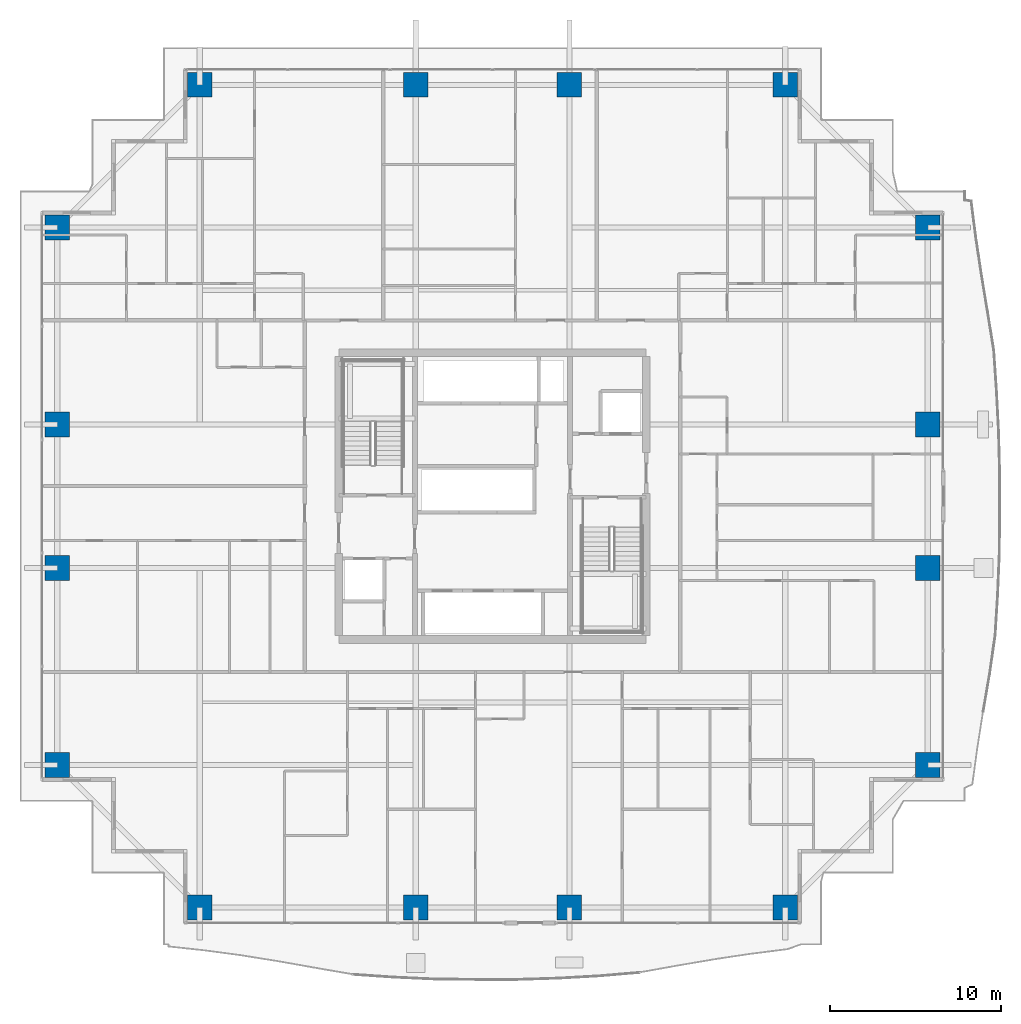
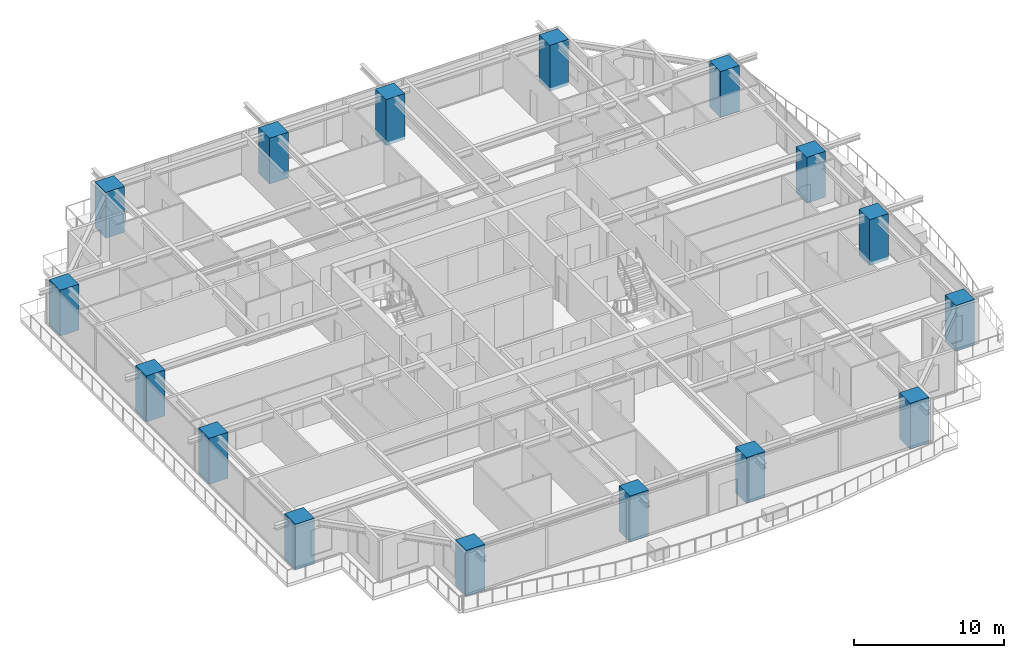
# One storey, part 1 of 39: 16 columns.
"""IFC4 building model written with IfcOpenShell, lengths in metres."""

from ifc_helpers import new_model, si_unit, direction, frame, origin, origin_2d, place, context, subcontext, project, spatial, rectangle, extrude, source, transform, mapped, material, material_profile, profile_set, type_object, element, save


model = new_model("IFC4")

# Units and contexts
model_context = context("Model", 3, precision=1e-05, world=origin(), true_north=direction((0.0, 1.0)))
body_context = subcontext(model_context, "Body", "Model", "MODEL_VIEW")
ifc_project = project(units=[si_unit("LENGTHUNIT", "METRE"), si_unit("AREAUNIT", "SQUARE_METRE"), si_unit("VOLUMEUNIT", "CUBIC_METRE"), si_unit("PLANEANGLEUNIT", "RADIAN"), si_unit("MASSUNIT", "GRAM", prefix="KILO")], contexts=[model_context])

# Site, building, storey
site_placement = place(None, origin())
site = spatial("IfcSite", under=ifc_project, at=site_placement, CompositionType="ELEMENT")
building_placement = place(site_placement, origin())
building = spatial("IfcBuilding", under=site, at=building_placement, Name="Serunith Strait Residences", CompositionType="ELEMENT")
storey_placement = place(building_placement, frame((0.0, 0.0, 49.199951171875)))
storey = spatial("IfcBuildingStorey", under=building, at=storey_placement, Name="L11", CompositionType="ELEMENT", Elevation=49.199951171875)

# Columns
ifc_material = material(Name="Concrete C90/105", Category="concrete")
ifc_material_profile = material_profile(ifc_material, rectangle(XDim=1.449951171875, YDim=1.449951171875, at=origin_2d()), Name="RC 1450x1450")
ifc_profile_set = profile_set([ifc_material_profile], Name="Concrete C90/105")
column_type = type_object("IfcColumnType", Name="COL-RC-1450", PredefinedType="COLUMN", material=ifc_profile_set)
shared_shape = source(origin(), body_context, "Body", "SweptSolid", [
    extrude(rectangle(XDim=1.449951171875, YDim=1.449951171875, at=origin_2d()), origin(), (0.0, 0.0, 1.0), 3.75),
])
for number, where, z_axis, x_axis, name in (
    (1, (15.25, 1.10009765625, -0.260009765625), (0.0, 0.0, 1.0), (1.0, 0.0, 0.0), "L11 Tower Mega-Column TC-S1"),
    (2, (27.89990234375, 1.10009765625, -0.260009765625), (0.0, 0.0, 1.0), (1.0, 0.0, 0.0), "L11 Tower Mega-Column TC-S2"),
    (3, (36.89990234375, 1.10009765625, -0.260009765625), (0.0, 0.0, 1.0), (1.0, 0.0, 0.0), "L11 Tower Mega-Column TC-S3"),
    (4, (49.550048828125, 1.10009765625, -0.260009765625), (0.0, 0.0, 1.0), (1.0, 0.0, 0.0), "L11 Tower Mega-Column TC-S4"),
    (5, (15.25, 49.300048828125, -0.260009765625), (0.0, 0.0, 1.0), (1.0, 0.0, 0.0), "L11 Tower Mega-Column TC-N1"),
    (6, (27.89990234375, 49.300048828125, -0.260009765625), (0.0, 0.0, 1.0), (1.0, 0.0, 0.0), "L11 Tower Mega-Column TC-N2"),
    (7, (36.89990234375, 49.300048828125, -0.260009765625), (0.0, 0.0, 1.0), (1.0, 0.0, 0.0), "L11 Tower Mega-Column TC-N3"),
    (8, (49.550048828125, 49.300048828125, -0.260009765625), (0.0, 0.0, 1.0), (1.0, 0.0, 0.0), "L11 Tower Mega-Column TC-N4"),
    (9, (57.89990234375, 9.449951171875, -0.260009765625), (0.0, 0.0, 1.0), (1.0, 0.0, 0.0), "L11 Tower Mega-Column TC-E1"),
    (10, (57.89990234375, 21.0, -0.260009765625), (0.0, 0.0, 1.0), (1.0, 0.0, 0.0), "L11 Tower Mega-Column TC-E2"),
    (11, (57.89990234375, 29.39990234375, -0.260009765625), (0.0, 0.0, 1.0), (1.0, 0.0, 0.0), "L11 Tower Mega-Column TC-E3"),
    (12, (57.89990234375, 40.949951171875, -0.260009765625), (0.0, 0.0, 1.0), (1.0, 0.0, 0.0), "L11 Tower Mega-Column TC-E4"),
    (13, (6.89990234375, 9.449951171875, -0.260009765625), (0.0, 0.0, 1.0), (1.0, 0.0, 0.0), "L11 Tower Mega-Column TC-W1"),
    (14, (6.89990234375, 21.0, -0.260009765625), (0.0, 0.0, 1.0), (1.0, 0.0, 0.0), "L11 Tower Mega-Column TC-W2"),
    (15, (6.89990234375, 29.39990234375, -0.260009765625), (0.0, 0.0, 1.0), (1.0, 0.0, 0.0), "L11 Tower Mega-Column TC-W3"),
    (16, (6.89990234375, 40.949951171875, -0.260009765625), (0.0, 0.0, 1.0), (1.0, 0.0, 0.0), "L11 Tower Mega-Column TC-W4"),
):
    element("IfcColumn", number, at=place(storey_placement, frame(where, z_axis=z_axis, x_axis=x_axis)), inside=storey, type_object=column_type, Name=name, PredefinedType="COLUMN", context=body_context, shape_type="MappedRepresentation", body=[
        mapped(shared_shape, transform((0.0, 0.0, 0.0), scale=1.0)),
    ])

save(model, "model.ifc")
